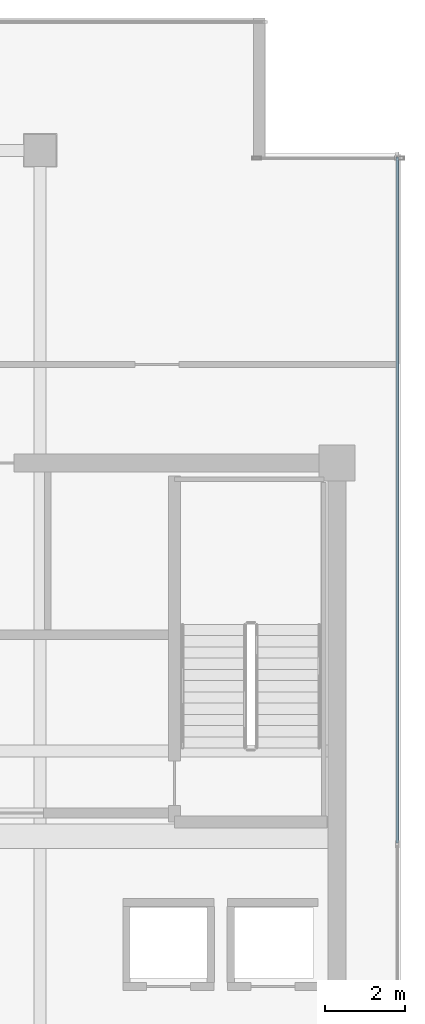
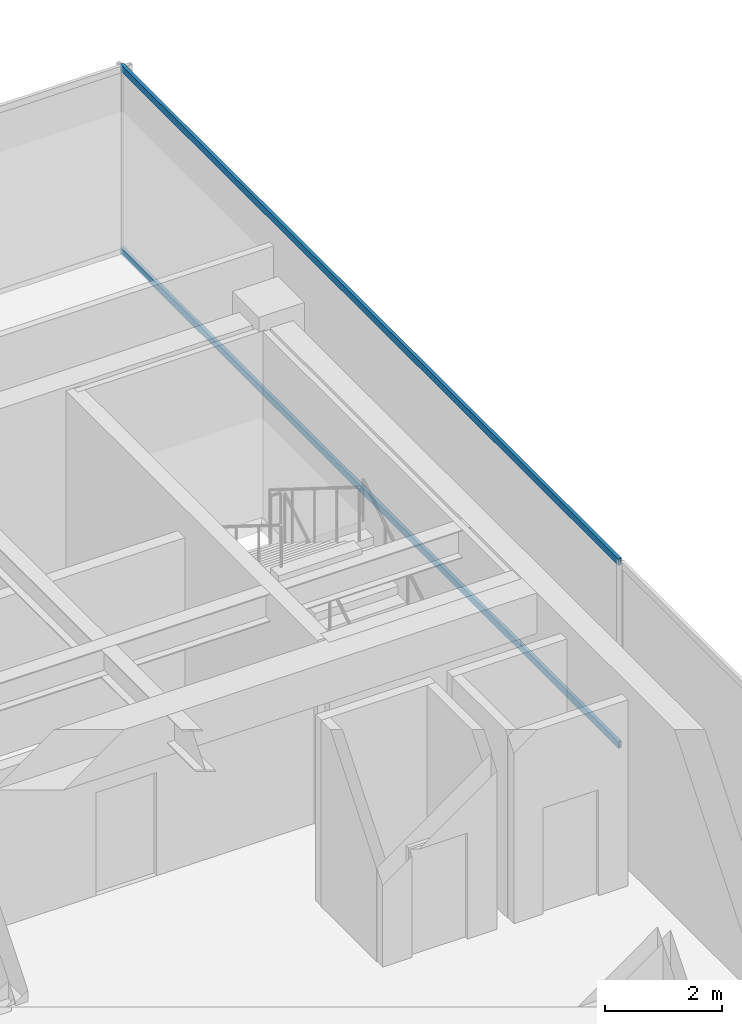
# One storey, part 17 of 32: 2 members, 1 element without a shape of its own.
"""IFC4 building model written with IfcOpenShell, lengths in metres."""

from ifc_helpers import new_model, si_unit, direction, frame, origin, origin_2d, place, context, subcontext, project, spatial, hollow_rectangle, extrude, source, transform, mapped, material, layer, layer_set, material_profile, profile_set, type_object, type_shapes, element, aggregate, save


model = new_model("IFC4")

# Units and contexts
model_context = context("Model", 3, precision=1e-05, world=origin(), true_north=direction((0.0, 1.0)))
body_context = subcontext(model_context, "Body", "Model", "MODEL_VIEW")
ifc_project = project(units=[si_unit("LENGTHUNIT", "METRE"), si_unit("AREAUNIT", "SQUARE_METRE"), si_unit("VOLUMEUNIT", "CUBIC_METRE"), si_unit("PLANEANGLEUNIT", "RADIAN"), si_unit("MASSUNIT", "GRAM", prefix="KILO")], contexts=[model_context])

# Site, building, storey
site_placement = place(None, origin())
site = spatial("IfcSite", under=ifc_project, at=site_placement, CompositionType="ELEMENT")
building_placement = place(site_placement, origin())
building = spatial("IfcBuilding", under=site, at=building_placement, Name="Haelvirn Gate Laboratories", CompositionType="ELEMENT")
storey_placement = place(building_placement, frame((0.0, 0.0, 301.800048828125)))
storey = spatial("IfcBuildingStorey", under=building, at=storey_placement, Name="L72", CompositionType="ELEMENT", Elevation=301.800048828125)

# Curtain wall, members
ifc_material_1 = material(Name="Anodised bronze unitised aluminium & triple low-E glass", Category="aluminium")
ifc_layer = layer(ifc_material_1, 0.176025390625, Name="CW-SYS-4")
ifc_layer_set = layer_set([ifc_layer], Name="Anodised bronze unitised aluminium & triple low-E glass")
curtain_wall_type = type_object("IfcCurtainWallType", Name="CW-SYS-4", PredefinedType="NOTDEFINED", material=ifc_layer_set)
curtain_wall_placement = place(storey_placement, origin())
curtain_wall = element("IfcCurtainWall", 1, at=curtain_wall_placement, inside=storey, type_object=curtain_wall_type, Name="L72 Unitised Curtain Wall CW-L72-P0-E07", PredefinedType="NOTDEFINED")
ifc_material_2 = material(Name="Extruded aluminium 6063-T6 (anodised bronze)", Category="aluminium")
ifc_material_profile = material_profile(ifc_material_2, hollow_rectangle(XDim=0.06494140625, YDim=0.139892578125, WallThickness=0.00390625, at=origin_2d()), Name="CWT-140x65x4")
ifc_profile_set = profile_set([ifc_material_profile], Name="Extruded aluminium 6063-T6 (anodised bronze)")
member_type = type_object("IfcMemberType", Name="CWT-T140", PredefinedType="USERDEFINED", material=ifc_profile_set)
shared_shape = source(origin(), body_context, "Body", "SweptSolid", [
    extrude(hollow_rectangle(XDim=0.06494140625, YDim=0.139892578125, WallThickness=0.00390625, at=origin_2d()), origin(), (0.0, 0.0, 1.0), 17.094970703125),
])
type_shapes(member_type, [shared_shape])
member_1_placement = place(storey_placement, frame((68.89990234375, 24.3349609375, 0.032470703125), z_axis=(0.0, 1.0, 0.0), x_axis=(-1.0, 0.0, 0.0)))
member_1 = element("IfcMember", 2, at=member_1_placement, type_object=member_type, Name="CW4 transom 2.1", ObjectType="TRANSOM", PredefinedType="USERDEFINED", context=body_context, shape_type="MappedRepresentation", body=[
    mapped(shared_shape, transform((0.0, 0.0, 0.0), scale=1.0)),
])
member_2_placement = place(storey_placement, frame((68.89990234375, 24.3349609375, 3.867431640625), z_axis=(0.0, 1.0, 0.0), x_axis=(-1.0, 0.0, 0.0)))
member_2 = element("IfcMember", 3, at=member_2_placement, type_object=member_type, Name="CW4 transom 2.2", ObjectType="TRANSOM", PredefinedType="USERDEFINED", context=body_context, shape_type="MappedRepresentation", body=[
    mapped(shared_shape, transform((0.0, 0.0, 0.0), scale=1.0)),
])
aggregate(curtain_wall, [member_1, member_2])

save(model, "model.ifc")
